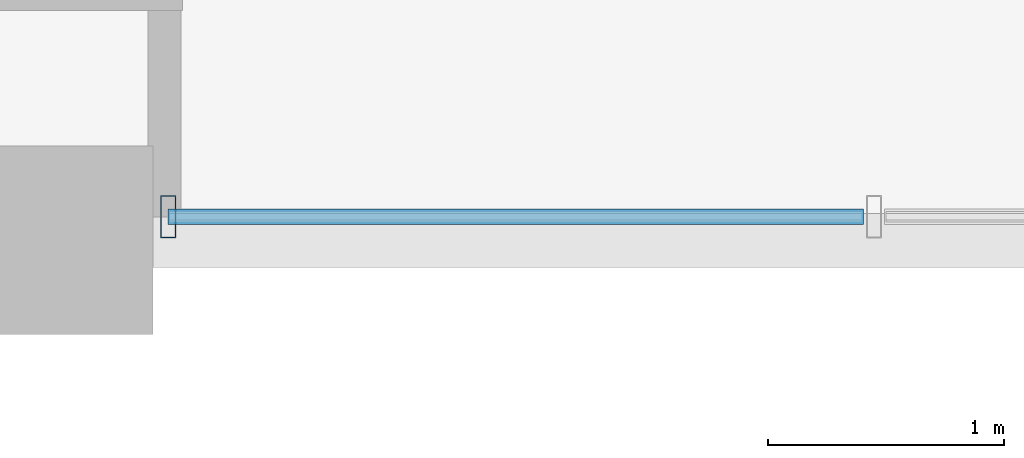
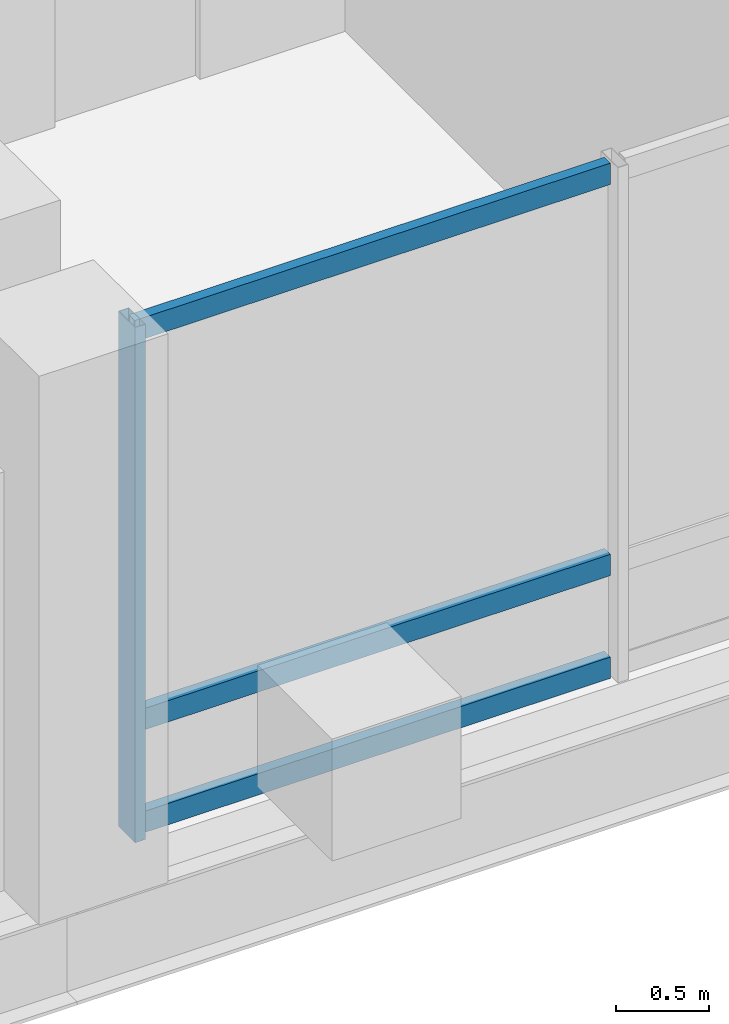
# One storey, part 2 of 24: 4 members, 1 element without a shape of its own.
"""IFC4 building model written with IfcOpenShell, lengths in metres."""

import ifcopenshell
import ifcopenshell.guid

model = None  # the IFC model being written
_history = None  # IfcOwnerHistory: only IFC2X3 demands one
_inside = {}  # id of a spatial element -> (the spatial element, [elements in it])
_under = {}  # id of a project, library or spatial element -> (it, [spatial elements below it])
_declared = {}  # id of a project -> (the project, [libraries it declares])
_typed = {}  # id of a type object -> (the type object, [elements of that type])
_made_of = {}  # id of a material, layer set ... -> (it, [elements and type objects made of it])


def new_model(schema):
    """Start an empty IFC model of exactly this schema.

    Asked for "IFC4X3", IfcOpenShell would pick the latest addendum, in which some entities
    have other attributes; the version numbers below select the first issue.
    IFC2X3 requires an IfcOwnerHistory on every rooted entity: one is made here for all.
    """
    global model, _history
    if schema == "IFC4X3":
        model = ifcopenshell.file(schema_version=(4, 3, 0, 0))
    else:
        model = ifcopenshell.file(schema=schema)
    _inside.clear()
    _under.clear()
    _declared.clear()
    _typed.clear()
    _made_of.clear()
    _history = None
    if model.schema == "IFC2X3":
        org = make("IfcOrganization", Name="unknown")
        user = make(
            "IfcPersonAndOrganization",
            ThePerson=make("IfcPerson", FamilyName="unknown"),
            TheOrganization=org,
        )
        app = make(
            "IfcApplication",
            ApplicationDeveloper=org,
            Version="unknown",
            ApplicationFullName="unknown",
            ApplicationIdentifier="unknown",
        )
        _history = make(
            "IfcOwnerHistory",
            OwningUser=user,
            OwningApplication=app,
            ChangeAction="ADDED",
            CreationDate=0,
        )
    return model


def make(cls, **values):
    """One entity of the class cls with the attributes given. An attribute that is None is left unset."""
    return model.create_entity(
        cls, **{name: value for name, value in values.items() if value is not None}
    )


def rooted(cls, **values):
    """An entity with a GlobalId (a new one), such as an element, a storey or a relation."""
    return make(cls, GlobalId=ifcopenshell.guid.new(), OwnerHistory=_history, **values)


def si_unit(unit_type, name, prefix=None):
    """IfcSIUnit, for example si_unit("LENGTHUNIT", "METRE", prefix="MILLI")."""
    return make("IfcSIUnit", UnitType=unit_type, Prefix=prefix, Name=name)


def assignment(units):
    """IfcUnitAssignment: the units of a project."""
    return None if units is None else make("IfcUnitAssignment", Units=units)


def point(xyz):
    """IfcCartesianPoint."""
    return None if xyz is None else make("IfcCartesianPoint", Coordinates=xyz)


def direction(xyz):
    """IfcDirection."""
    return None if xyz is None else make("IfcDirection", DirectionRatios=xyz)


def frame(location, z_axis=None, x_axis=None):
    """IfcAxis2Placement3D, a coordinate frame: its origin and axes. An axis left out is left unset."""
    return make(
        "IfcAxis2Placement3D",
        Location=point(location),
        Axis=direction(z_axis),
        RefDirection=direction(x_axis),
    )


def frame_2d(location, x_axis=None):
    """IfcAxis2Placement2D, a coordinate frame in the plane: its origin and x axis."""
    return make(
        "IfcAxis2Placement2D", Location=point(location), RefDirection=direction(x_axis)
    )


def origin():
    """The frame at (0, 0, 0) with its axes left unset."""
    return frame((0.0, 0.0, 0.0))


def origin_2d():
    """The frame at (0, 0) in the plane with its x axis left unset."""
    return frame_2d((0.0, 0.0))


def place(relative_to, where):
    """IfcLocalPlacement: puts the frame where relative to a parent placement (None: the world)."""
    return make(
        "IfcLocalPlacement", PlacementRelTo=relative_to, RelativePlacement=where
    )


def context(
    kind, dimensions, precision=None, world=None, true_north=None, identifier=None
):
    """IfcGeometricRepresentationContext, for example the 3D "Model" context."""
    return make(
        "IfcGeometricRepresentationContext",
        ContextIdentifier=identifier,
        ContextType=kind,
        CoordinateSpaceDimension=dimensions,
        Precision=precision,
        WorldCoordinateSystem=world,
        TrueNorth=true_north,
    )


def subcontext(parent, identifier, kind, view, scale=None):
    """IfcGeometricRepresentationSubContext, for example "Body" below "Model"."""
    return make(
        "IfcGeometricRepresentationSubContext",
        ContextIdentifier=identifier,
        ContextType=kind,
        ParentContext=parent,
        TargetScale=scale,
        TargetView=view,
    )


def project(units=None, contexts=None):
    """IfcProject with its units and contexts."""
    return rooted(
        "IfcProject",
        Name="project",
        RepresentationContexts=contexts,
        UnitsInContext=assignment(units),
    )


def spatial(cls, under=None, at=None, **own):
    """A site, building, storey or space (cls), placed at a placement, below another one or the project."""
    s = rooted(cls, ObjectPlacement=at, **own)
    if under is not None:
        _under.setdefault(under.id(), (under, []))[1].append(s)
    return s


def profile(cls, at=None, kind="AREA", **sizes):
    """A parametric profile (cls). Its sizes go by their IFC names, for example OverallWidth=200.0."""
    return make(cls, ProfileType=kind, Position=at, **sizes)


def hollow_rectangle(**sizes):
    """IfcRectangleHollowProfileDef."""
    return profile("IfcRectangleHollowProfileDef", **sizes)


def extrude(swept, where, along, depth):
    """IfcExtrudedAreaSolid: the profile swept, set in the frame where, extruded along a direction by depth."""
    return make(
        "IfcExtrudedAreaSolid",
        SweptArea=swept,
        Position=where,
        ExtrudedDirection=direction(along),
        Depth=depth,
    )


def shape(context_of_items, identifier, shape_type, items):
    """IfcShapeRepresentation: the items that make up one representation, for example the "Body"."""
    return make(
        "IfcShapeRepresentation",
        ContextOfItems=context_of_items,
        RepresentationIdentifier=identifier,
        RepresentationType=shape_type,
        Items=items,
    )


def material(Name=None, Category=None):
    """IfcMaterial."""
    return make("IfcMaterial", Name=Name, Category=Category)


def layer(
    of_material, thickness, ventilated=None, Name=None, Category=None, Priority=None
):
    """IfcMaterialLayer: one layer of a wall or slab, of a material (None: an air gap)."""
    return make(
        "IfcMaterialLayer",
        Material=of_material,
        LayerThickness=thickness,
        IsVentilated=ventilated,
        Name=Name,
        Category=Category,
        Priority=Priority,
    )


def layer_set(layers, Name=None):
    """IfcMaterialLayerSet."""
    return make("IfcMaterialLayerSet", MaterialLayers=layers, LayerSetName=Name)


def material_profile(
    of_material, cross_section, Name=None, Category=None, Priority=None
):
    """IfcMaterialProfile: a cross section and its material."""
    return make(
        "IfcMaterialProfile",
        Name=Name,
        Material=of_material,
        Profile=cross_section,
        Priority=Priority,
        Category=Category,
    )


def profile_set(profiles, Name=None, composite=None):
    """IfcMaterialProfileSet."""
    return make(
        "IfcMaterialProfileSet",
        Name=Name,
        MaterialProfiles=profiles,
        CompositeProfile=composite,
    )


def made_of(thing, what):
    """Note that an element or type object is made of a material, layer set ...; save() writes the relation."""
    if what is not None:
        _made_of.setdefault(what.id(), (what, []))[1].append(thing)
    return thing


def type_object(cls, material=None, **own):
    """A type object (cls), such as IfcWallType, which elements share."""
    return made_of(rooted(cls, **own), material)


def element(
    cls,
    number,
    at=None,
    inside=None,
    cuts=None,
    type_object=None,
    material=None,
    context=None,
    identifier="Body",
    shape_type=None,
    held_by="IfcProductDefinitionShape",
    body=None,
    shapes=None,
    **own,
):
    """One element of the class cls, such as IfcWall. Its Tag is "e" and its number.

    at: its placement. inside: the storey or other place that contains it. cuts: it is an
    opening in that element (IfcRelVoidsElement). A single representation is given by context,
    identifier, shape_type and body (its items); several are given by shapes. held_by: the class
    of the entity that holds the representations. save() writes the other relations.
    """
    e = rooted(cls, Tag="e%d" % number, ObjectPlacement=at, **own)
    if body is not None:
        shapes = [shape(context, identifier, shape_type, body)]
    if shapes is not None:
        e.Representation = make(held_by, Representations=shapes)
    if inside is not None:
        _inside.setdefault(inside.id(), (inside, []))[1].append(e)
    if cuts is not None:
        rooted(
            "IfcRelVoidsElement", RelatingBuildingElement=cuts, RelatedOpeningElement=e
        )
    if type_object is not None:
        _typed.setdefault(type_object.id(), (type_object, []))[1].append(e)
    return made_of(e, material)


def aggregate(whole, parts):
    """IfcRelAggregates: a whole, such as a stair, and the parts it consists of."""
    return rooted("IfcRelAggregates", RelatingObject=whole, RelatedObjects=parts)


def save(model, path):
    """Write the relations noted so far, then the file.

    IfcRelAggregates (storeys below a building ...), IfcRelContainedInSpatialStructure (elements
    in a storey), IfcRelDefinesByType, IfcRelAssociatesMaterial and IfcRelDeclares: one each for
    every whole, place, type object, material and project.
    """
    for whole, parts in _under.values():
        aggregate(whole, parts)
    for where, things in _inside.values():
        rooted(
            "IfcRelContainedInSpatialStructure",
            RelatedElements=things,
            RelatingStructure=where,
        )
    for kind, things in _typed.values():
        rooted("IfcRelDefinesByType", RelatedObjects=things, RelatingType=kind)
    for what, things in _made_of.values():
        rooted("IfcRelAssociatesMaterial", RelatedObjects=things, RelatingMaterial=what)
    for by, libraries in _declared.values():
        rooted("IfcRelDeclares", RelatingContext=by, RelatedDefinitions=libraries)
    model.write(path)


model = new_model("IFC4")

# Units and contexts
model_context = context("Model", 3, precision=1e-05, world=origin(), true_north=direction((0.0, 1.0)))
body_context = subcontext(model_context, "Body", "Model", "MODEL_VIEW")
ifc_project = project(units=[si_unit("LENGTHUNIT", "METRE"), si_unit("AREAUNIT", "SQUARE_METRE"), si_unit("VOLUMEUNIT", "CUBIC_METRE"), si_unit("PLANEANGLEUNIT", "RADIAN"), si_unit("MASSUNIT", "GRAM", prefix="KILO")], contexts=[model_context])

# Site, building, storey
site_placement = place(None, origin())
site = spatial("IfcSite", under=ifc_project, at=site_placement, CompositionType="ELEMENT")
building_placement = place(site_placement, origin())
building = spatial("IfcBuilding", under=site, at=building_placement, Name="Barlavira Tower and Art Museum", CompositionType="ELEMENT")
storey_placement = place(building_placement, frame((0.0, 0.0, 169.199951171875)))
storey = spatial("IfcBuildingStorey", under=building, at=storey_placement, Name="L43", CompositionType="ELEMENT", Elevation=169.199951171875)

# Curtain wall, members
ifc_material_1 = material(Name="Low-iron coastal laminated glass", Category="glass")
ifc_layer = layer(ifc_material_1, 0.199951171875, Name="Low-iron coastal laminated glass")
ifc_layer_set = layer_set([ifc_layer], Name="Low-iron coastal laminated glass")
curtain_wall_type = type_object("IfcCurtainWallType", Name="Pale-Metal Unitised Curtain Wall Zone 3", PredefinedType="NOTDEFINED", material=ifc_layer_set)
curtain_wall_placement = place(storey_placement, origin())
curtain_wall = element("IfcCurtainWall", 1, at=curtain_wall_placement, inside=storey, type_object=curtain_wall_type, Name="L43 Curtain Wall CW3-L43-S-B3", PredefinedType="NOTDEFINED")
ifc_material_2 = material(Name="Pale anodised aluminium", Category="aluminium")
ifc_material_profile_1 = material_profile(ifc_material_2, hollow_rectangle(XDim=0.06494140625, YDim=0.179931640625, WallThickness=0.00390625, at=origin_2d()), Name="ALU-MULL 65x180x4")
ifc_profile_set_1 = profile_set([ifc_material_profile_1], Name="Pale anodised aluminium")
member_type_1 = type_object("IfcMemberType", Name="Curtain Wall Pale-Metal Mullion 65x180", PredefinedType="MULLION", material=ifc_profile_set_1)
member_1_placement = place(storey_placement, frame((-6.034912109375, -21.39990234375, 0.0), z_axis=(0.0, 0.0, 1.0), x_axis=(1.0, 0.0, 0.0)))
member_1 = element("IfcMember", 2, at=member_1_placement, type_object=member_type_1, Name="CW3-L43-S-B3 Mullion 0", PredefinedType="MULLION", context=body_context, shape_type="SweptSolid", body=[
    extrude(hollow_rectangle(XDim=0.06494140625, YDim=0.179931640625, WallThickness=0.00390625, at=origin_2d()), origin(), (0.0, 0.0, 1.0), 3.380126953125),
])
ifc_material_profile_2 = material_profile(ifc_material_2, hollow_rectangle(XDim=0.06494140625, YDim=0.139892578125, WallThickness=0.00390625, at=origin_2d()), Name="ALU-TRAN 65x140x4")
ifc_profile_set_2 = profile_set([ifc_material_profile_2], Name="Pale anodised aluminium")
member_type_2 = type_object("IfcMemberType", Name="Curtain Wall Pale-Metal Transom 65x140", PredefinedType="USERDEFINED", material=ifc_profile_set_2)
member_2_placement = place(storey_placement, frame((-6.034912109375, -21.39990234375, 0.070068359375), z_axis=(1.0, 0.0, 0.0), x_axis=(0.0, 1.0, 0.0)))
member_2 = element("IfcMember", 3, at=member_2_placement, type_object=member_type_2, Name="CW3-L43-S-B3 Transom 0.1", ObjectType="TRANSOM", PredefinedType="USERDEFINED", context=body_context, shape_type="SweptSolid", body=[
    extrude(hollow_rectangle(XDim=0.06494140625, YDim=0.139892578125, WallThickness=0.00390625, at=origin_2d()), origin(), (0.0, 0.0, 1.0), 2.949951171875),
])
member_3_placement = place(storey_placement, frame((-6.034912109375, -21.39990234375, 0.744140625), z_axis=(1.0, 0.0, 0.0), x_axis=(0.0, 1.0, 0.0)))
member_3 = element("IfcMember", 4, at=member_3_placement, type_object=member_type_2, Name="CW3-L43-S-B3 Transom 0.2", ObjectType="TRANSOM", PredefinedType="USERDEFINED", context=body_context, shape_type="SweptSolid", body=[
    extrude(hollow_rectangle(XDim=0.06494140625, YDim=0.139892578125, WallThickness=0.00390625, at=origin_2d()), origin(), (0.0, 0.0, 1.0), 2.949951171875),
])
member_4_placement = place(storey_placement, frame((-6.034912109375, -21.39990234375, 3.31005859375), z_axis=(1.0, 0.0, 0.0), x_axis=(0.0, 1.0, 0.0)))
member_4 = element("IfcMember", 5, at=member_4_placement, type_object=member_type_2, Name="CW3-L43-S-B3 Transom 0.3", ObjectType="TRANSOM", PredefinedType="USERDEFINED", context=body_context, shape_type="SweptSolid", body=[
    extrude(hollow_rectangle(XDim=0.06494140625, YDim=0.139892578125, WallThickness=0.00390625, at=origin_2d()), origin(), (0.0, 0.0, 1.0), 2.949951171875),
])
aggregate(curtain_wall, [member_1, member_2, member_3, member_4])

save(model, "model.ifc")
